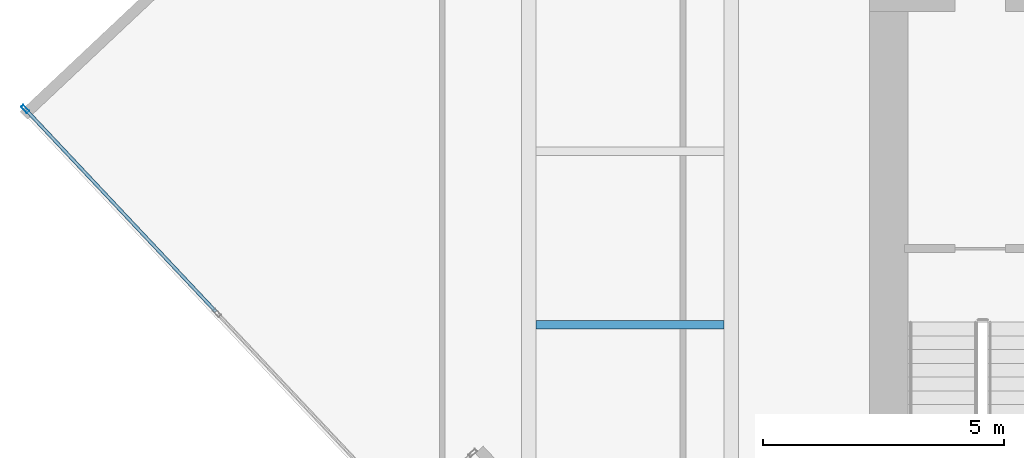
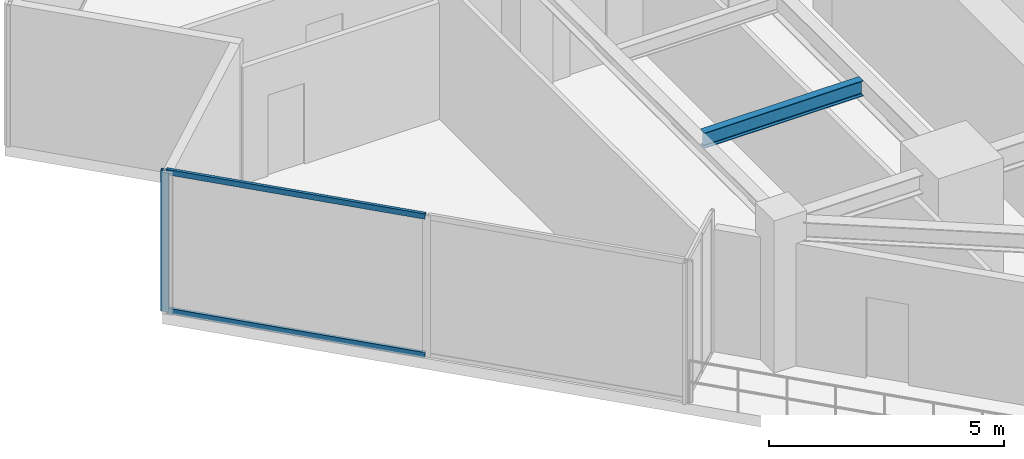
# One storey, part 5 of 25: 3 members, 1 beam, 1 element without a shape of its own.
"""IFC4 building model written with IfcOpenShell, lengths in metres."""

from ifc_helpers import new_model, si_unit, direction, frame, origin, origin_2d, place, context, subcontext, project, spatial, hollow_rectangle, i_section, extrude, source, transform, mapped, material, material_profile, profile_set, type_object, type_shapes, element, aggregate, save


model = new_model("IFC4")

# Units and contexts
model_context = context("Model", 3, precision=1e-05, world=origin(), true_north=direction((0.0, 1.0)))
body_context = subcontext(model_context, "Body", "Model", "MODEL_VIEW")
ifc_project = project(units=[si_unit("LENGTHUNIT", "METRE"), si_unit("AREAUNIT", "SQUARE_METRE"), si_unit("VOLUMEUNIT", "CUBIC_METRE"), si_unit("PLANEANGLEUNIT", "RADIAN"), si_unit("MASSUNIT", "GRAM", prefix="KILO")], contexts=[model_context])

# Site, building, storey
site_placement = place(None, origin())
site = spatial("IfcSite", under=ifc_project, at=site_placement, CompositionType="ELEMENT")
building_placement = place(site_placement, origin())
building = spatial("IfcBuilding", under=site, at=building_placement, Name="Krantzveldt Concourse Tower", CompositionType="ELEMENT")
storey_placement = place(building_placement, frame((0.0, 0.0, 238.89990234375)))
storey = spatial("IfcBuildingStorey", under=building, at=storey_placement, Name="L58", CompositionType="ELEMENT", Elevation=238.89990234375)

# Beam
ifc_material_1 = material(Name="Steel S355JR", Category="steel")
ifc_material_profile_1 = material_profile(ifc_material_1, i_section(OverallWidth=0.179931640625, OverallDepth=0.39990234375, WebThickness=0.008544921875, FlangeThickness=0.013427734375, FilletRadius=0.02099609375, at=origin_2d()), Name="Steel S355JR", Category="steel")
ifc_profile_set_1 = profile_set([ifc_material_profile_1], Name="Steel S355JR - IPE 400")
beam_type = type_object("IfcBeamType", Name="BM-J-IPE400", PredefinedType="JOIST", material=ifc_profile_set_1)
shared_shape_1 = source(origin(), body_context, "Body", "SweptSolid", [
    extrude(i_section(OverallWidth=0.179931640625, OverallDepth=0.39990234375, WebThickness=0.008544921875, FlangeThickness=0.013427734375, FilletRadius=0.02099609375, at=origin_2d()), origin(), (0.0, 0.0, 1.0), 3.900146484375),
])
type_shapes(beam_type, [shared_shape_1])
beam_placement = place(storey_placement, frame((21.14990234375, 19.5, 3.47021484375), z_axis=(1.0, 0.0, 0.0), x_axis=(0.0, 1.0, 0.0)))
element("IfcBeam", 1, at=beam_placement, inside=storey, type_object=beam_type, Name="L58 Secondary Floor Joist JW-1", PredefinedType="JOIST", context=body_context, shape_type="MappedRepresentation", body=[
    mapped(shared_shape_1, transform((0.0, 0.0, 0.0), x_axis=(1.0, 0.0, 0.0), y_axis=(0.0, 1.0, 0.0), z_axis=(0.0, 0.0, 1.0), scale=1.0)),
])

# Curtain wall, members
ifc_material_2 = material(Name="Anodised aluminium 6063-T6", Category="aluminium")
curtain_wall_type = type_object("IfcCurtainWallType", Name="CW3", PredefinedType="USERDEFINED", material=ifc_material_2)
curtain_wall_placement = place(storey_placement, origin())
curtain_wall = element("IfcCurtainWall", 2, at=curtain_wall_placement, inside=storey, type_object=curtain_wall_type, Name="CW-L58-F04", ObjectType="UNITISED CURTAIN WALL", PredefinedType="USERDEFINED")
ifc_material_profile_2 = material_profile(ifc_material_2, hollow_rectangle(XDim=0.070068359375, YDim=0.179931640625, WallThickness=0.0048828125, at=origin_2d()), Name="Anodised aluminium 6063-T6", Category="aluminium")
ifc_profile_set_2 = profile_set([ifc_material_profile_2], Name="Anodised aluminium 6063-T6 - ALU-MULL 180x70x5")
member_type_1 = type_object("IfcMemberType", Name="CW-MUL-180", PredefinedType="MULLION", material=ifc_profile_set_2)
shared_shape_2 = source(origin(), body_context, "Body", "SweptSolid", [
    extrude(hollow_rectangle(XDim=0.070068359375, YDim=0.179931640625, WallThickness=0.0048828125, at=origin_2d()), origin(), (0.0, 0.0, 1.0), 3.670166015625),
])
type_shapes(member_type_1, [shared_shape_2])
member_1_placement = place(storey_placement, frame((10.53759765625, 23.979736328125, 0.0), z_axis=(0.0, 0.0, 1.0), x_axis=(0.728370998021, 0.685182960414, 0.0)))
member_1 = element("IfcMember", 3, at=member_1_placement, type_object=member_type_1, Name="CW-Z34 mullion 1", PredefinedType="MULLION", context=body_context, shape_type="MappedRepresentation", body=[
    mapped(shared_shape_2, transform((0.0, 0.0, 0.0), x_axis=(1.0, 0.0, 0.0), y_axis=(0.0, 1.0, 0.0), z_axis=(0.0, 0.0, 1.0), scale=1.0)),
])
ifc_material_profile_3 = material_profile(ifc_material_2, hollow_rectangle(XDim=0.070068359375, YDim=0.139892578125, WallThickness=0.0048828125, at=origin_2d()), Name="Anodised aluminium 6063-T6", Category="aluminium")
ifc_profile_set_3 = profile_set([ifc_material_profile_3], Name="Anodised aluminium 6063-T6 - ALU-TRAN 140x70x5")
member_type_2 = type_object("IfcMemberType", Name="CW-TRN-150", PredefinedType="USERDEFINED", material=ifc_profile_set_3)
shared_shape_3 = source(origin(), body_context, "Body", "SweptSolid", [
    extrude(hollow_rectangle(XDim=0.070068359375, YDim=0.139892578125, WallThickness=0.0048828125, at=origin_2d()), origin(), (0.0, 0.0, 1.0), 5.744873046875),
])
type_shapes(member_type_2, [shared_shape_3])
member_2_placement = place(storey_placement, frame((10.5615234375, 23.9541015625, 0.03515625), z_axis=(0.685210917167, -0.728344697924, 0.0), x_axis=(0.728344697924, 0.685210917167, 0.0)))
member_2 = element("IfcMember", 4, at=member_2_placement, type_object=member_type_2, Name="CW-Z34 transom 1.1", ObjectType="TRANSOM", PredefinedType="USERDEFINED", context=body_context, shape_type="MappedRepresentation", body=[
    mapped(shared_shape_3, transform((0.0, 0.0, 0.0), x_axis=(1.0, 0.0, 0.0), y_axis=(0.0, 1.0, 0.0), z_axis=(0.0, 0.0, 1.0), scale=1.0)),
])
member_3_placement = place(storey_placement, frame((10.5615234375, 23.9541015625, 3.635009765625), z_axis=(0.685210917167, -0.728344697924, 0.0), x_axis=(0.728344697924, 0.685210917167, 0.0)))
member_3 = element("IfcMember", 5, at=member_3_placement, type_object=member_type_2, Name="CW-Z34 transom 1.2", ObjectType="TRANSOM", PredefinedType="USERDEFINED", context=body_context, shape_type="MappedRepresentation", body=[
    mapped(shared_shape_3, transform((0.0, 0.0, 0.0), x_axis=(1.0, 0.0, 0.0), y_axis=(0.0, 1.0, 0.0), z_axis=(0.0, 0.0, 1.0), scale=1.0)),
])
aggregate(curtain_wall, [member_1, member_2, member_3])

save(model, "model.ifc")
